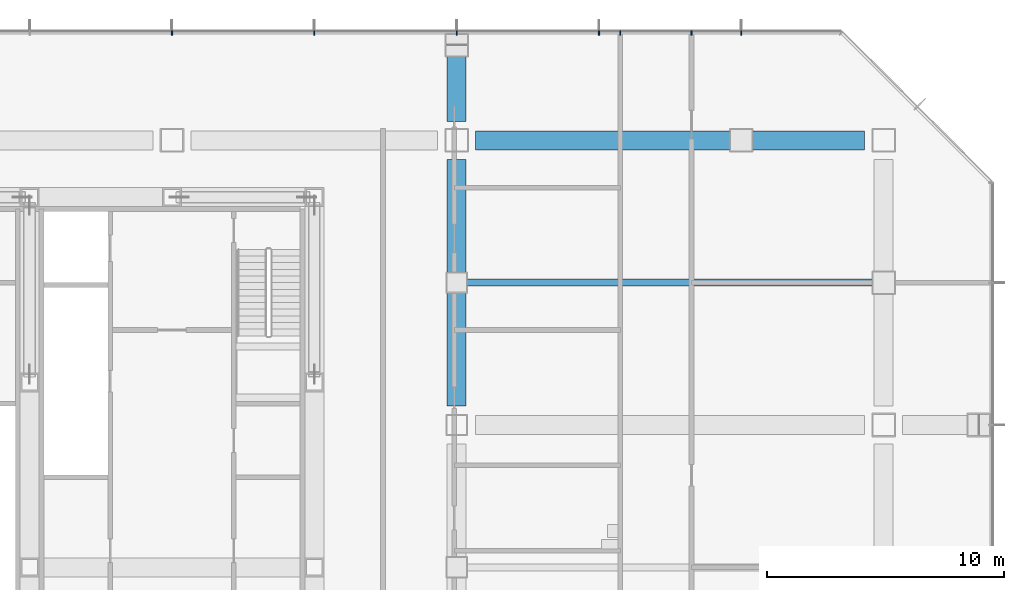
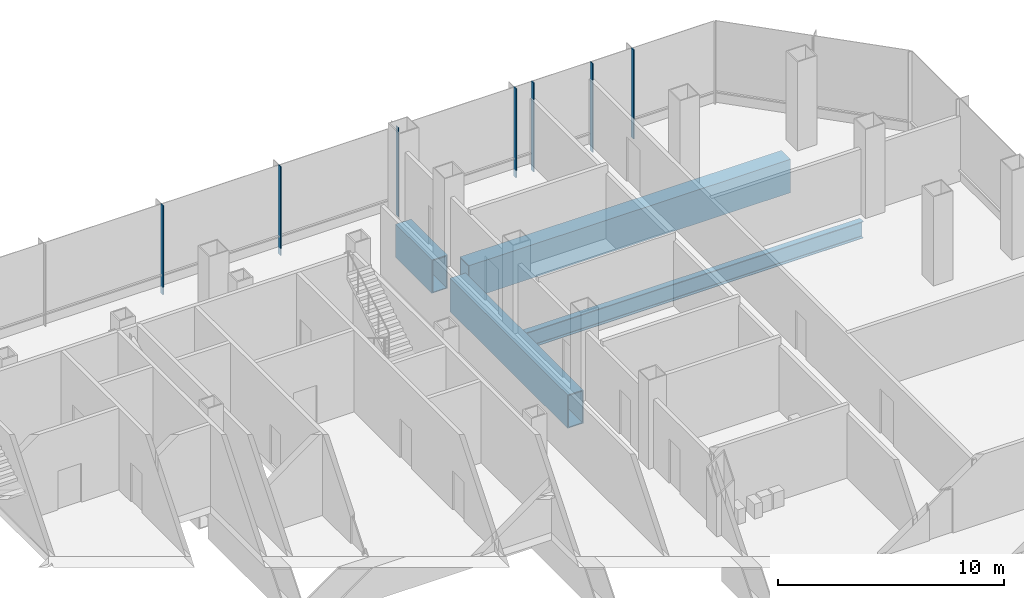
# One storey, part 15 of 34: 7 members, 4 beams, 1 element without a shape of its own.
"""IFC4 building model written with IfcOpenShell, lengths in metres."""

from ifc_helpers import new_model, si_unit, direction, frame, origin, origin_2d, place, context, subcontext, project, spatial, rectangle, hollow_rectangle, i_section, extrude, material, material_profile, profile_set, type_object, element, aggregate, save


model = new_model("IFC4")

# Units and contexts
model_context = context("Model", 3, precision=1e-05, world=origin(), true_north=direction((0.0, 1.0)))
body_context = subcontext(model_context, "Body", "Model", "MODEL_VIEW")
ifc_project = project(units=[si_unit("LENGTHUNIT", "METRE"), si_unit("AREAUNIT", "SQUARE_METRE"), si_unit("VOLUMEUNIT", "CUBIC_METRE"), si_unit("PLANEANGLEUNIT", "RADIAN"), si_unit("MASSUNIT", "GRAM", prefix="KILO")], contexts=[model_context])

# Site, building, storey
site_placement = place(None, origin())
site = spatial("IfcSite", under=ifc_project, at=site_placement, CompositionType="ELEMENT")
building_placement = place(site_placement, origin())
building = spatial("IfcBuilding", under=site, at=building_placement, Name="Sorahane Residences", CompositionType="ELEMENT")
storey_placement = place(building_placement, frame((0.0, 0.0, 20.39990234375)))
storey = spatial("IfcBuildingStorey", under=building, at=storey_placement, Name="L02", CompositionType="ELEMENT", Elevation=20.39990234375)

# Curtain wall, members
ifc_material_1 = material(Name="Dark low-e glass and black anodised aluminium", Category="aluminium")
curtain_wall_type = type_object("IfcCurtainWallType", Name="Curtain wall CW-3 Podium unitised wall", PredefinedType="NOTDEFINED", material=ifc_material_1)
curtain_wall_placement = place(storey_placement, origin())
curtain_wall = element("IfcCurtainWall", 1, at=curtain_wall_placement, inside=storey, type_object=curtain_wall_type, Name="CW-3 curtain wall L02 N1", PredefinedType="NOTDEFINED")
ifc_material_2 = material(Name="Black anodised aluminium", Category="aluminium")
ifc_material_profile_1 = material_profile(ifc_material_2, rectangle(XDim=0.199951171875, YDim=0.050048828125, at=origin_2d()), Name="Curtain wall mullion CW-3 black anodised aluminium 50x200")
ifc_profile_set_1 = profile_set([ifc_material_profile_1], Name="Black anodised aluminium")
member_type = type_object("IfcMemberType", Name="Curtain wall mullion CW-3 black anodised aluminium 50x200", PredefinedType="MULLION", material=ifc_profile_set_1)
member_1_placement = place(storey_placement, frame((60.0, 52.52001953125, -0.39990234375), z_axis=(0.0, 0.0, 1.0), x_axis=(0.0, 1.0, 0.0)))
member_1 = element("IfcMember", 2, at=member_1_placement, type_object=member_type, Name="CW-3 mullion L02 N1.2", PredefinedType="MULLION", context=body_context, shape_type="SweptSolid", body=[
    extrude(rectangle(XDim=0.199951171875, YDim=0.050048828125, at=origin_2d()), origin(), (0.0, 0.0, 1.0), 4.800048828125),
])
member_2_placement = place(storey_placement, frame((57.89990234375, 52.52001953125, -0.39990234375), z_axis=(0.0, 0.0, 1.0), x_axis=(0.0, 1.0, 0.0)))
member_2 = element("IfcMember", 3, at=member_2_placement, type_object=member_type, Name="CW-3 mullion L02 N1.3", PredefinedType="MULLION", context=body_context, shape_type="SweptSolid", body=[
    extrude(rectangle(XDim=0.199951171875, YDim=0.050048828125, at=origin_2d()), origin(), (0.0, 0.0, 1.0), 4.800048828125),
])
member_3_placement = place(storey_placement, frame((54.89990234375, 52.52001953125, -0.39990234375), z_axis=(0.0, 0.0, 1.0), x_axis=(0.0, 1.0, 0.0)))
member_3 = element("IfcMember", 4, at=member_3_placement, type_object=member_type, Name="CW-3 mullion L02 N1.4", PredefinedType="MULLION", context=body_context, shape_type="SweptSolid", body=[
    extrude(rectangle(XDim=0.199951171875, YDim=0.050048828125, at=origin_2d()), origin(), (0.0, 0.0, 1.0), 4.800048828125),
])
member_4_placement = place(storey_placement, frame((54.0, 52.52001953125, -0.39990234375), z_axis=(0.0, 0.0, 1.0), x_axis=(0.0, 1.0, 0.0)))
member_4 = element("IfcMember", 5, at=member_4_placement, type_object=member_type, Name="CW-3 mullion L02 N1.5", PredefinedType="MULLION", context=body_context, shape_type="SweptSolid", body=[
    extrude(rectangle(XDim=0.199951171875, YDim=0.050048828125, at=origin_2d()), origin(), (0.0, 0.0, 1.0), 4.800048828125),
])
member_5_placement = place(storey_placement, frame((48.0, 52.52001953125, -0.39990234375), z_axis=(0.0, 0.0, 1.0), x_axis=(0.0, 1.0, 0.0)))
member_5 = element("IfcMember", 6, at=member_5_placement, type_object=member_type, Name="CW-3 mullion L02 N1.6", PredefinedType="MULLION", context=body_context, shape_type="SweptSolid", body=[
    extrude(rectangle(XDim=0.199951171875, YDim=0.050048828125, at=origin_2d()), origin(), (0.0, 0.0, 1.0), 4.800048828125),
])
member_6_placement = place(storey_placement, frame((42.0, 52.52001953125, -0.39990234375), z_axis=(0.0, 0.0, 1.0), x_axis=(0.0, 1.0, 0.0)))
member_6 = element("IfcMember", 7, at=member_6_placement, type_object=member_type, Name="CW-3 mullion L02 N1.7", PredefinedType="MULLION", context=body_context, shape_type="SweptSolid", body=[
    extrude(rectangle(XDim=0.199951171875, YDim=0.050048828125, at=origin_2d()), origin(), (0.0, 0.0, 1.0), 4.800048828125),
])
member_7_placement = place(storey_placement, frame((36.0, 52.52001953125, -0.39990234375), z_axis=(0.0, 0.0, 1.0), x_axis=(0.0, 1.0, 0.0)))
member_7 = element("IfcMember", 8, at=member_7_placement, type_object=member_type, Name="CW-3 mullion L02 N1.8", PredefinedType="MULLION", context=body_context, shape_type="SweptSolid", body=[
    extrude(rectangle(XDim=0.199951171875, YDim=0.050048828125, at=origin_2d()), origin(), (0.0, 0.0, 1.0), 4.800048828125),
])
aggregate(curtain_wall, [member_1, member_2, member_3, member_4, member_5, member_6, member_7])

# Beams
ifc_material_3 = material(Name="Steel Q355B", Category="steel")
ifc_material_profile_2 = material_profile(ifc_material_3, i_section(OverallWidth=0.300048828125, OverallDepth=0.89990234375, WebThickness=0.01611328125, FlangeThickness=0.028076171875, FilletRadius=0.028076171875, at=origin_2d()), Name="HN 900x300x16x28")
ifc_profile_set_2 = profile_set([ifc_material_profile_2], Name="Steel Q355B")
beam_type_1 = type_object("IfcBeamType", Name="Steel floor beam HN 900x300x16x28 Q355B", PredefinedType="BEAM", material=ifc_profile_set_2)
beam_1_placement = place(storey_placement, frame((48.400146484375, 42.0, -0.849853515625), z_axis=(1.0, 0.0, 0.0), x_axis=(0.0, 1.0, 0.0)))
element("IfcBeam", 9, at=beam_1_placement, inside=storey, type_object=beam_type_1, Name="Beam L02 083", PredefinedType="BEAM", context=body_context, shape_type="SweptSolid", body=[
    extrude(i_section(OverallWidth=0.300048828125, OverallDepth=0.89990234375, WebThickness=0.01611328125, FlangeThickness=0.028076171875, FilletRadius=0.028076171875, at=origin_2d()), origin(), (0.0, 0.0, 1.0), 17.19970703125),
])
ifc_material_4 = material(Name="Steel Q420GJ", Category="steel")
ifc_material_profile_3 = material_profile(ifc_material_4, hollow_rectangle(XDim=0.800048828125, YDim=1.800048828125, WallThickness=0.050048828125, at=origin_2d()), Name="BOX 1800x800x50")
ifc_profile_set_3 = profile_set([ifc_material_profile_3], Name="Steel Q420GJ")
beam_type_2 = type_object("IfcBeamType", Name="Steel transfer girder BOX 1800x800x50 Q420GJ", PredefinedType="BEAM", material=ifc_profile_set_3)
beam_2_placement = place(storey_placement, frame((48.800048828125, 48.0, -1.2998046875), z_axis=(1.0, 0.0, 0.0), x_axis=(0.0, 1.0, 0.0)))
element("IfcBeam", 10, at=beam_2_placement, inside=storey, type_object=beam_type_2, Name="Beam L02 020", PredefinedType="BEAM", context=body_context, shape_type="SweptSolid", body=[
    extrude(hollow_rectangle(XDim=0.800048828125, YDim=1.800048828125, WallThickness=0.050048828125, at=origin_2d()), origin(), (0.0, 0.0, 1.0), 16.39990234375),
])
beam_3_placement = place(storey_placement, frame((48.0, 36.800048828125, -1.2998046875), z_axis=(0.0, 1.0, 0.0), x_axis=(-1.0, 0.0, 0.0)))
element("IfcBeam", 11, at=beam_3_placement, inside=storey, type_object=beam_type_2, Name="Beam L02 047", PredefinedType="BEAM", context=body_context, shape_type="SweptSolid", body=[
    extrude(hollow_rectangle(XDim=0.800048828125, YDim=1.800048828125, WallThickness=0.050048828125, at=origin_2d()), origin(), (0.0, 0.0, 1.0), 10.39990234375),
])
beam_4_placement = place(storey_placement, frame((48.0, 48.800048828125, -1.2998046875), z_axis=(0.0, 1.0, 0.0), x_axis=(-1.0, 0.0, 0.0)))
element("IfcBeam", 12, at=beam_4_placement, inside=storey, type_object=beam_type_2, Name="Beam L02 049", PredefinedType="BEAM", context=body_context, shape_type="SweptSolid", body=[
    extrude(hollow_rectangle(XDim=0.800048828125, YDim=1.800048828125, WallThickness=0.050048828125, at=origin_2d()), origin(), (0.0, 0.0, 1.0), 3.199951171875),
])

save(model, "model.ifc")
